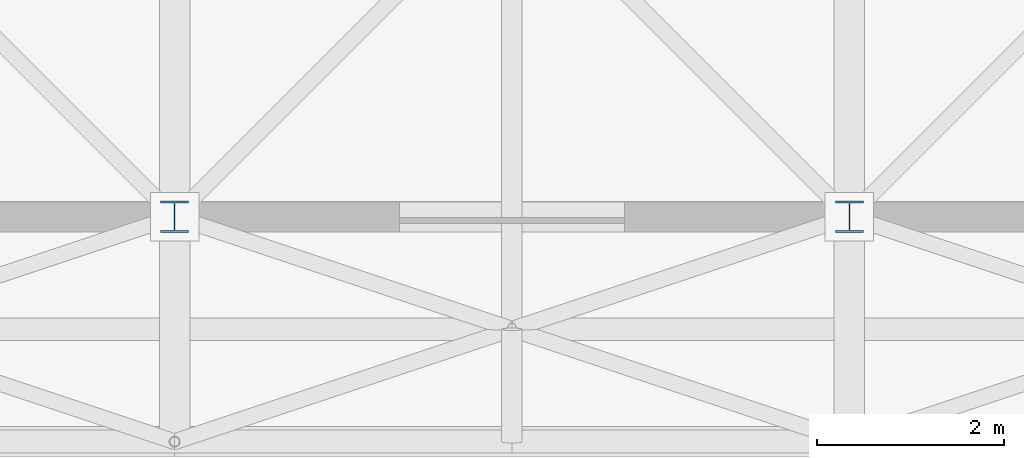
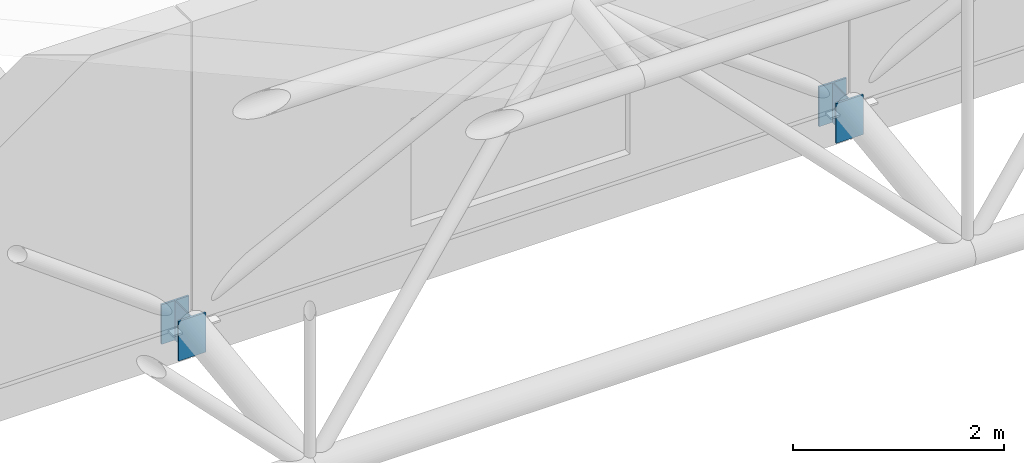
# One storey, part 10 of 103: 2 columns.
"""IFC4 building model written with IfcOpenShell, lengths in metres."""

from ifc_helpers import new_model, si_unit, direction, frame, origin, origin_2d, place, context, subcontext, project, spatial, i_section, extrude, material, material_profile, profile_set, type_object, element, save


model = new_model("IFC4")

# Units and contexts
model_context = context("Model", 3, precision=1e-05, world=origin(), true_north=direction((0.0, 1.0)))
body_context = subcontext(model_context, "Body", "Model", "MODEL_VIEW")
ifc_project = project(units=[si_unit("LENGTHUNIT", "METRE"), si_unit("AREAUNIT", "SQUARE_METRE"), si_unit("VOLUMEUNIT", "CUBIC_METRE"), si_unit("PLANEANGLEUNIT", "RADIAN"), si_unit("MASSUNIT", "GRAM", prefix="KILO")], contexts=[model_context])

# Site, building, storey
site_placement = place(None, origin())
site = spatial("IfcSite", under=ifc_project, at=site_placement, CompositionType="ELEMENT")
building_placement = place(site_placement, origin())
building = spatial("IfcBuilding", under=site, at=building_placement, Name="Thalmaran Polytechnic", CompositionType="ELEMENT")
storey_placement = place(building_placement, frame((0.0, 0.0, 14.39990234375)))
storey = spatial("IfcBuildingStorey", under=building, at=storey_placement, Name="L03", CompositionType="ELEMENT", Elevation=14.39990234375)

# Columns
ifc_material = material(Name="Steel S355", Category="steel")
ifc_material_profile = material_profile(ifc_material, i_section(OverallWidth=0.300048828125, OverallDepth=0.340087890625, WebThickness=0.011962890625, FlangeThickness=0.021484375, at=origin_2d()), Name="HEB 340")
ifc_profile_set = profile_set([ifc_material_profile], Name="Steel S355")
column_type = type_object("IfcColumnType", Name="COL-SC1", PredefinedType="COLUMN", material=ifc_profile_set)
for number, where, z_axis, x_axis, name in (
    (1, (115.199951171875, 0.0, 0.0), (0.0, 0.0, 1.0), (1.0, 0.0, 0.0), "Space-Frame Bearing Pedestal (16,0)"),
    (2, (122.39990234375, 0.0, 0.0), (0.0, 0.0, 1.0), (1.0, 0.0, 0.0), "Space-Frame Bearing Pedestal (17,0)"),
):
    element("IfcColumn", number, at=place(storey_placement, frame(where, z_axis=z_axis, x_axis=x_axis)), inside=storey, type_object=column_type, Name=name, PredefinedType="COLUMN", context=body_context, shape_type="SweptSolid", body=[
        extrude(i_section(OverallWidth=0.300048828125, OverallDepth=0.340087890625, WebThickness=0.011962890625, FlangeThickness=0.021484375, at=origin_2d()), origin(), (0.0, 0.0, 1.0), 0.460205078125),
    ])

save(model, "model.ifc")
